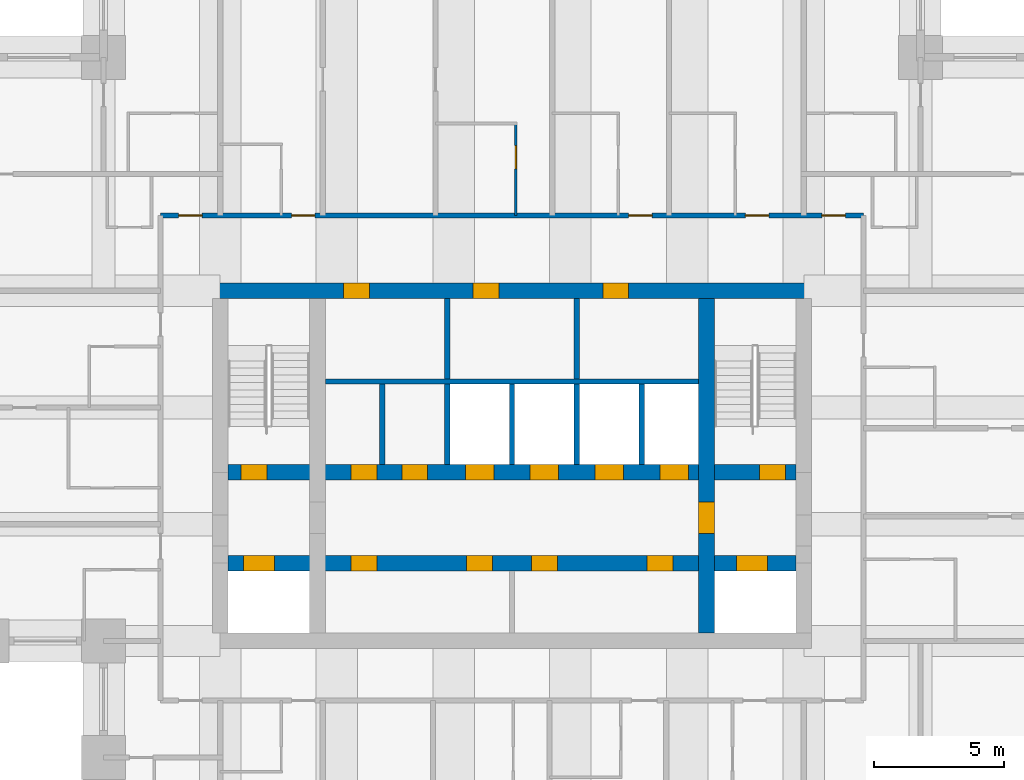
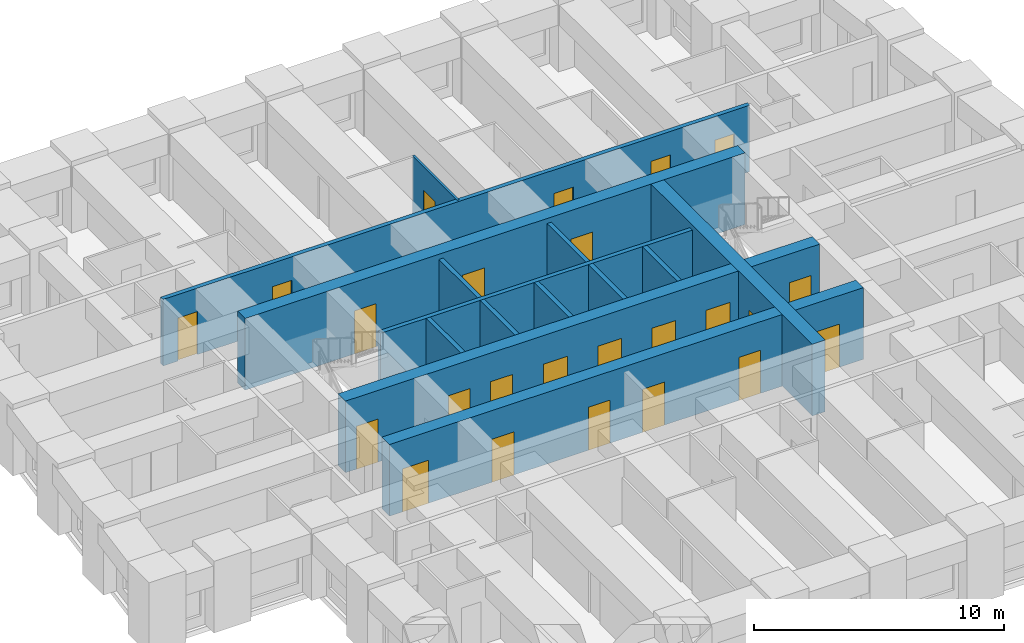
# One storey, part 4 of 8: 24 doors, 14 walls, 24 openings.
"""IFC4 building model written with IfcOpenShell, lengths in metres."""

from ifc_helpers import new_model, si_unit, direction, frame, frame_2d, origin, place, context, subcontext, project, spatial, rectangle, extrude, material, layer, layer_set, type_object, element, fill, save


model = new_model("IFC4")

# Units and contexts
model_context = context("Model", 3, precision=1e-05, world=origin(), true_north=direction((0.0, 1.0)))
body_context = subcontext(model_context, "Body", "Model", "MODEL_VIEW")
ifc_project = project(units=[si_unit("LENGTHUNIT", "METRE"), si_unit("AREAUNIT", "SQUARE_METRE"), si_unit("VOLUMEUNIT", "CUBIC_METRE"), si_unit("PLANEANGLEUNIT", "RADIAN"), si_unit("MASSUNIT", "GRAM", prefix="KILO")], contexts=[model_context])

# Site, building, storey
site_placement = place(None, origin())
site = spatial("IfcSite", under=ifc_project, at=site_placement, CompositionType="ELEMENT")
building_placement = place(site_placement, origin())
building = spatial("IfcBuilding", under=site, at=building_placement, Name="Kilele Tower Hotel", CompositionType="ELEMENT")
storey_placement = place(building_placement, frame((0.0, 0.0, 179.89990234375)))
storey = spatial("IfcBuildingStorey", under=building, at=storey_placement, Name="L46", CompositionType="ELEMENT", Elevation=179.89990234375)

# Wall, opening, door
ifc_material_1 = material(Name="Moisture-resistant board")
ifc_layer_1 = layer(ifc_material_1, 0.10009765625)
ifc_layer_set_1 = layer_set([ifc_layer_1], Name="Moisture-resistant board")
wall_type_1 = type_object("IfcWallType", Name="Bathroom partition 100", PredefinedType="PLUMBINGWALL", material=ifc_layer_set_1)
wall_1_placement = place(storey_placement, frame((24.89990234375, 29.89990234375, 0.0), z_axis=(0.0, 0.0, 1.0), x_axis=(0.0, 1.0, 0.0)))
wall_1 = element("IfcWall", 1, at=wall_1_placement, inside=storey, type_object=wall_type_1, Name="Bathroom partition 100 L46", PredefinedType="PLUMBINGWALL", context=body_context, shape_type="SweptSolid", body=[
    extrude(rectangle(XDim=3.60009765625, YDim=0.10009765625, at=frame_2d((1.800048828125, 0.0))), origin(), (0.0, 0.0, 1.0), 3.25),
])
opening_1_placement = place(wall_1_placement, frame((2.699951171875, 0.0, 0.0), z_axis=(0.0, 0.0, 1.0), x_axis=(-1.0, 0.0, 0.0)))
opening_1 = element("IfcOpeningElement", 2, at=opening_1_placement, cuts=wall_1, Name="Opening D2A", PredefinedType="OPENING", context=body_context, shape_type="SweptSolid", body=[
    extrude(rectangle(XDim=0.89990234375, YDim=2.10009765625, at=frame_2d((0.449951171875, 1.050048828125))), frame((0.0, 0.06005859375, 0.0), z_axis=(0.0, -1.0, 0.0), x_axis=(1.0, 0.0, 0.0)), (0.0, 0.0, 1.0), 0.1201171875),
])
ifc_material_2 = material(Name="Timber door leaf in hardwood frame", Category="wood")
door_type_1 = type_object("IfcDoorType", Name="Bathroom door 900", OperationType="SINGLE_SWING_LEFT", PredefinedType="DOOR", material=ifc_material_2)
door_1_placement = place(opening_1_placement, origin())
door_1 = element("IfcDoor", 3, at=door_1_placement, inside=storey, type_object=door_type_1, Name="Bathroom door 4611B", OperationType="SINGLE_SWING_LEFT", OverallHeight=2.10009765625, OverallWidth=0.89990234375, PredefinedType="DOOR", context=body_context, shape_type="SweptSolid", body=[
    extrude(rectangle(XDim=0.89990234375, YDim=2.10009765625, at=frame_2d((0.449951171875, 1.050048828125))), frame((0.0, 0.02490234375, 0.0), z_axis=(0.0, -1.0, 0.0), x_axis=(1.0, 0.0, 0.0)), (0.0, 0.0, 1.0), 0.050048828125),
])
fill(opening_1, door_1)

# Wall, openings, doors
ifc_material_3 = material(Name="Concrete C70/85", Category="concrete")
ifc_layer_2 = layer(ifc_material_3, 0.60009765625)
ifc_layer_set_2 = layer_set([ifc_layer_2], Name="Concrete C70/85")
wall_type_2 = type_object("IfcWallType", Name="Core wall 600 C70/85", PredefinedType="SHEAR", material=ifc_layer_set_2)
wall_2_placement = place(storey_placement, frame((36.300048828125, 27.0, 0.0), z_axis=(0.0, 0.0, 1.0), x_axis=(-1.0, 0.0, 0.0)))
wall_2 = element("IfcWall", 4, at=wall_2_placement, inside=storey, type_object=wall_type_2, Name="Core wall N L46", PredefinedType="SHEAR", context=body_context, shape_type="SweptSolid", body=[
    extrude(rectangle(XDim=23.10009765625, YDim=0.60009765625, at=frame_2d((11.550048828125, 0.0))), origin(), (0.0, 0.0, 1.0), 3.5),
])
opening_2_placement = place(wall_2_placement, frame((17.050048828125, 0.0, 0.0)))
opening_2 = element("IfcOpeningElement", 5, at=opening_2_placement, cuts=wall_2, Name="Opening D6", PredefinedType="OPENING", context=body_context, shape_type="SweptSolid", body=[
    extrude(rectangle(XDim=1.0, YDim=2.10009765625, at=frame_2d((0.5, 1.050048828125))), frame((0.0, 0.31005859375, 0.0), z_axis=(0.0, -1.0, 0.0), x_axis=(1.0, 0.0, 0.0)), (0.0, 0.0, 1.0), 0.6201171875),
])
opening_3_placement = place(wall_2_placement, frame((12.050048828125, 0.0, 0.0)))
opening_3 = element("IfcOpeningElement", 6, at=opening_3_placement, cuts=wall_2, Name="Opening D6", PredefinedType="OPENING", context=body_context, shape_type="SweptSolid", body=[
    extrude(rectangle(XDim=1.0, YDim=2.10009765625, at=frame_2d((0.5, 1.050048828125))), frame((0.0, 0.31005859375, 0.0), z_axis=(0.0, -1.0, 0.0), x_axis=(1.0, 0.0, 0.0)), (0.0, 0.0, 1.0), 0.6201171875),
])
opening_4_placement = place(wall_2_placement, frame((7.050048828125, 0.0, 0.0)))
opening_4 = element("IfcOpeningElement", 7, at=opening_4_placement, cuts=wall_2, Name="Opening D6", PredefinedType="OPENING", context=body_context, shape_type="SweptSolid", body=[
    extrude(rectangle(XDim=1.0, YDim=2.10009765625, at=frame_2d((0.5, 1.050048828125))), frame((0.0, 0.31005859375, 0.0), z_axis=(0.0, -1.0, 0.0), x_axis=(1.0, 0.0, 0.0)), (0.0, 0.0, 1.0), 0.6201171875),
])
ifc_material_4 = material(Name="Timber door leaf in hardwood frame", Category="wood")
door_type_2 = type_object("IfcDoorType", Name="Riser door 1000", OperationType="SINGLE_SWING_LEFT", PredefinedType="DOOR", material=ifc_material_4)
door_2_placement = place(opening_2_placement, origin())
door_2 = element("IfcDoor", 8, at=door_2_placement, inside=storey, type_object=door_type_2, Name="Service riser door L46", OperationType="SINGLE_SWING_RIGHT", OverallHeight=2.10009765625, OverallWidth=1.0, PredefinedType="DOOR", context=body_context, shape_type="SweptSolid", body=[
    extrude(rectangle(XDim=1.0, YDim=2.10009765625, at=frame_2d((0.5, 1.050048828125))), frame((0.0, 0.2998046875, 0.0), z_axis=(0.0, -1.0, 0.0), x_axis=(1.0, 0.0, 0.0)), (0.0, 0.0, 1.0), 0.599609375),
])
fill(opening_2, door_2)
door_3_placement = place(opening_3_placement, origin())
door_3 = element("IfcDoor", 9, at=door_3_placement, inside=storey, type_object=door_type_2, Name="IT and comms room door L46", OperationType="SINGLE_SWING_RIGHT", OverallHeight=2.10009765625, OverallWidth=1.0, PredefinedType="DOOR", context=body_context, shape_type="SweptSolid", body=[
    extrude(rectangle(XDim=1.0, YDim=2.10009765625, at=frame_2d((0.5, 1.050048828125))), frame((0.0, 0.2998046875, 0.0), z_axis=(0.0, -1.0, 0.0), x_axis=(1.0, 0.0, 0.0)), (0.0, 0.0, 1.0), 0.599609375),
])
fill(opening_3, door_3)
door_4_placement = place(opening_4_placement, origin())
door_4 = element("IfcDoor", 10, at=door_4_placement, inside=storey, type_object=door_type_2, Name="Electrical riser door L46", OperationType="SINGLE_SWING_RIGHT", OverallHeight=2.10009765625, OverallWidth=1.0, PredefinedType="DOOR", context=body_context, shape_type="SweptSolid", body=[
    extrude(rectangle(XDim=1.0, YDim=2.10009765625, at=frame_2d((0.5, 1.050048828125))), frame((0.0, 0.2998046875, 0.0), z_axis=(0.0, -1.0, 0.0), x_axis=(1.0, 0.0, 0.0)), (0.0, 0.0, 1.0), 0.599609375),
])
fill(opening_4, door_4)

# Wall, opening, door
wall_3_placement = place(storey_placement, frame((32.25, 13.800048828125, 0.0), z_axis=(0.0, 0.0, 1.0), x_axis=(0.0, 1.0, 0.0)))
wall_3 = element("IfcWall", 11, at=wall_3_placement, inside=storey, type_object=wall_type_2, Name="Core wall IE L46", PredefinedType="SHEAR", context=body_context, shape_type="SweptSolid", body=[
    extrude(rectangle(XDim=12.89990234375, YDim=0.60009765625, at=frame_2d((6.449951171875, 0.0))), origin(), (0.0, 0.0, 1.0), 3.5),
])
opening_5_placement = place(wall_3_placement, frame((5.050048828125, 0.0, 0.0), z_axis=(0.0, 0.0, 1.0), x_axis=(-1.0, 0.0, 0.0)))
opening_5 = element("IfcOpeningElement", 12, at=opening_5_placement, cuts=wall_3, Name="Opening D4", PredefinedType="OPENING", context=body_context, shape_type="SweptSolid", body=[
    extrude(rectangle(XDim=1.199951171875, YDim=2.10009765625, at=frame_2d((0.60009765625, 1.050048828125))), frame((0.0, 0.31005859375, 0.0), z_axis=(0.0, -1.0, 0.0), x_axis=(1.0, 0.0, 0.0)), (0.0, 0.0, 1.0), 0.6201171875),
])
ifc_material_5 = material(Name="Timber door leaf in hardwood frame", Category="wood")
door_type_3 = type_object("IfcDoorType", Name="Firefighting lobby door 1200", OperationType="SINGLE_SWING_LEFT", PredefinedType="DOOR", material=ifc_material_5)
door_5_placement = place(opening_5_placement, origin())
door_5 = element("IfcDoor", 13, at=door_5_placement, inside=storey, type_object=door_type_3, Name="Lobby door L46", OperationType="SINGLE_SWING_RIGHT", OverallHeight=2.10009765625, OverallWidth=1.199951171875, PredefinedType="DOOR", context=body_context, shape_type="SweptSolid", body=[
    extrude(rectangle(XDim=1.199951171875, YDim=2.10009765625, at=frame_2d((0.60009765625, 1.050048828125))), frame((0.0, 0.2998046875, 0.0), z_axis=(0.0, -1.0, 0.0), x_axis=(1.0, 0.0, 0.0)), (0.0, 0.0, 1.0), 0.599609375),
])
fill(opening_5, door_5)

# Wall, openings, doors
wall_4_placement = place(storey_placement, frame((13.800048828125, 16.5, 0.0), z_axis=(0.0, 0.0, 1.0), x_axis=(1.0, 0.0, 0.0)))
wall_4 = element("IfcWall", 14, at=wall_4_placement, inside=storey, type_object=wall_type_2, Name="Core wall LS L46", PredefinedType="SHEAR", context=body_context, shape_type="SweptSolid", body=[
    extrude(rectangle(XDim=21.89990234375, YDim=0.60009765625, at=frame_2d((10.949951171875, 0.0))), origin(), (0.0, 0.0, 1.0), 3.5),
])
opening_6_placement = place(wall_4_placement, frame((5.75, 0.0, 0.0), z_axis=(0.0, 0.0, 1.0), x_axis=(-1.0, 0.0, 0.0)))
opening_6 = element("IfcOpeningElement", 15, at=opening_6_placement, cuts=wall_4, Name="Opening D11", PredefinedType="OPENING", context=body_context, shape_type="SweptSolid", body=[
    extrude(rectangle(XDim=1.0, YDim=2.10009765625, at=frame_2d((0.5, 1.050048828125))), frame((0.0, 0.31005859375, 0.0), z_axis=(0.0, -1.0, 0.0), x_axis=(1.0, 0.0, 0.0)), (0.0, 0.0, 1.0), 0.6201171875),
])
opening_7_placement = place(wall_4_placement, frame((10.199951171875, 0.0, 0.0), z_axis=(0.0, 0.0, 1.0), x_axis=(-1.0, 0.0, 0.0)))
opening_7 = element("IfcOpeningElement", 16, at=opening_7_placement, cuts=wall_4, Name="Opening D11", PredefinedType="OPENING", context=body_context, shape_type="SweptSolid", body=[
    extrude(rectangle(XDim=1.0, YDim=2.10009765625, at=frame_2d((0.5, 1.050048828125))), frame((0.0, 0.31005859375, 0.0), z_axis=(0.0, -1.0, 0.0), x_axis=(1.0, 0.0, 0.0)), (0.0, 0.0, 1.0), 0.6201171875),
])
opening_8_placement = place(wall_4_placement, frame((12.699951171875, 0.0, 0.0), z_axis=(0.0, 0.0, 1.0), x_axis=(-1.0, 0.0, 0.0)))
opening_8 = element("IfcOpeningElement", 17, at=opening_8_placement, cuts=wall_4, Name="Opening D11", PredefinedType="OPENING", context=body_context, shape_type="SweptSolid", body=[
    extrude(rectangle(XDim=1.0, YDim=2.10009765625, at=frame_2d((0.5, 1.050048828125))), frame((0.0, 0.31005859375, 0.0), z_axis=(0.0, -1.0, 0.0), x_axis=(1.0, 0.0, 0.0)), (0.0, 0.0, 1.0), 0.6201171875),
])
opening_9_placement = place(wall_4_placement, frame((17.14990234375, 0.0, 0.0), z_axis=(0.0, 0.0, 1.0), x_axis=(-1.0, 0.0, 0.0)))
opening_9 = element("IfcOpeningElement", 18, at=opening_9_placement, cuts=wall_4, Name="Opening D11", PredefinedType="OPENING", context=body_context, shape_type="SweptSolid", body=[
    extrude(rectangle(XDim=1.0, YDim=2.10009765625, at=frame_2d((0.5, 1.050048828125))), frame((0.0, 0.31005859375, 0.0), z_axis=(0.0, -1.0, 0.0), x_axis=(1.0, 0.0, 0.0)), (0.0, 0.0, 1.0), 0.6201171875),
])
opening_10_placement = place(wall_4_placement, frame((0.60009765625, 0.0, 0.0)))
opening_10 = element("IfcOpeningElement", 19, at=opening_10_placement, cuts=wall_4, Name="Opening LD2", PredefinedType="OPENING", context=body_context, shape_type="SweptSolid", body=[
    extrude(rectangle(XDim=1.199951171875, YDim=2.10009765625, at=frame_2d((0.60009765625, 1.050048828125))), frame((0.0, 0.31005859375, 0.0), z_axis=(0.0, -1.0, 0.0), x_axis=(1.0, 0.0, 0.0)), (0.0, 0.0, 1.0), 0.6201171875),
])
opening_11_placement = place(wall_4_placement, frame((19.60009765625, 0.0, 0.0)))
opening_11 = element("IfcOpeningElement", 20, at=opening_11_placement, cuts=wall_4, Name="Opening LD2", PredefinedType="OPENING", context=body_context, shape_type="SweptSolid", body=[
    extrude(rectangle(XDim=1.199951171875, YDim=2.10009765625, at=frame_2d((0.60009765625, 1.050048828125))), frame((0.0, 0.31005859375, 0.0), z_axis=(0.0, -1.0, 0.0), x_axis=(1.0, 0.0, 0.0)), (0.0, 0.0, 1.0), 0.6201171875),
])
ifc_material_6 = material(Name="Timber door leaf in hardwood frame", Category="wood")
door_type_4 = type_object("IfcDoorType", Name="Core store door 1000", OperationType="SINGLE_SWING_LEFT", PredefinedType="DOOR", material=ifc_material_6)
door_6_placement = place(opening_6_placement, origin())
door_6 = element("IfcDoor", 21, at=door_6_placement, inside=storey, type_object=door_type_4, Name="Core room door L1 L46", OperationType="SINGLE_SWING_RIGHT", OverallHeight=2.10009765625, OverallWidth=1.0, PredefinedType="DOOR", context=body_context, shape_type="SweptSolid", body=[
    extrude(rectangle(XDim=1.0, YDim=2.10009765625, at=frame_2d((0.5, 1.050048828125))), frame((0.0, 0.2998046875, 0.0), z_axis=(0.0, -1.0, 0.0), x_axis=(1.0, 0.0, 0.0)), (0.0, 0.0, 1.0), 0.599609375),
])
fill(opening_6, door_6)
door_7_placement = place(opening_7_placement, origin())
door_7 = element("IfcDoor", 22, at=door_7_placement, inside=storey, type_object=door_type_4, Name="Core room door L3 L46", OperationType="SINGLE_SWING_LEFT", OverallHeight=2.10009765625, OverallWidth=1.0, PredefinedType="DOOR", context=body_context, shape_type="SweptSolid", body=[
    extrude(rectangle(XDim=1.0, YDim=2.10009765625, at=frame_2d((0.5, 1.050048828125))), frame((0.0, 0.2998046875, 0.0), z_axis=(0.0, -1.0, 0.0), x_axis=(1.0, 0.0, 0.0)), (0.0, 0.0, 1.0), 0.599609375),
])
fill(opening_7, door_7)
door_8_placement = place(opening_8_placement, origin())
door_8 = element("IfcDoor", 23, at=door_8_placement, inside=storey, type_object=door_type_4, Name="Core room door M1 L46", OperationType="SINGLE_SWING_RIGHT", OverallHeight=2.10009765625, OverallWidth=1.0, PredefinedType="DOOR", context=body_context, shape_type="SweptSolid", body=[
    extrude(rectangle(XDim=1.0, YDim=2.10009765625, at=frame_2d((0.5, 1.050048828125))), frame((0.0, 0.2998046875, 0.0), z_axis=(0.0, -1.0, 0.0), x_axis=(1.0, 0.0, 0.0)), (0.0, 0.0, 1.0), 0.599609375),
])
fill(opening_8, door_8)
door_9_placement = place(opening_9_placement, origin())
door_9 = element("IfcDoor", 24, at=door_9_placement, inside=storey, type_object=door_type_4, Name="Core room door M3 L46", OperationType="SINGLE_SWING_LEFT", OverallHeight=2.10009765625, OverallWidth=1.0, PredefinedType="DOOR", context=body_context, shape_type="SweptSolid", body=[
    extrude(rectangle(XDim=1.0, YDim=2.10009765625, at=frame_2d((0.5, 1.050048828125))), frame((0.0, 0.2998046875, 0.0), z_axis=(0.0, -1.0, 0.0), x_axis=(1.0, 0.0, 0.0)), (0.0, 0.0, 1.0), 0.599609375),
])
fill(opening_9, door_9)
ifc_material_7 = material(Name="Steel lift landing door", Category="steel")
door_type_5 = type_object("IfcDoorType", Name="Firefighting lift landing door 1200", OperationType="SLIDING_TO_LEFT", PredefinedType="DOOR", material=ifc_material_7)
door_10_placement = place(opening_10_placement, origin())
door_10 = element("IfcDoor", 25, at=door_10_placement, inside=storey, type_object=door_type_5, Name="Landing door FFW L46", OperationType="SLIDING_TO_LEFT", OverallHeight=2.10009765625, OverallWidth=1.199951171875, PredefinedType="DOOR", context=body_context, shape_type="SweptSolid", body=[
    extrude(rectangle(XDim=1.199951171875, YDim=2.10009765625, at=frame_2d((0.60009765625, 1.050048828125))), frame((0.0, 0.2998046875, 0.0), z_axis=(0.0, -1.0, 0.0), x_axis=(1.0, 0.0, 0.0)), (0.0, 0.0, 1.0), 0.599609375),
])
fill(opening_10, door_10)
door_11_placement = place(opening_11_placement, origin())
door_11 = element("IfcDoor", 26, at=door_11_placement, inside=storey, type_object=door_type_5, Name="Landing door FFE L46", OperationType="SLIDING_TO_LEFT", OverallHeight=2.10009765625, OverallWidth=1.199951171875, PredefinedType="DOOR", context=body_context, shape_type="SweptSolid", body=[
    extrude(rectangle(XDim=1.199951171875, YDim=2.10009765625, at=frame_2d((0.60009765625, 1.050048828125))), frame((0.0, 0.2998046875, 0.0), z_axis=(0.0, -1.0, 0.0), x_axis=(1.0, 0.0, 0.0)), (0.0, 0.0, 1.0), 0.599609375),
])
fill(opening_11, door_11)

wall_5_placement = place(storey_placement, frame((13.800048828125, 20.0, 0.0), z_axis=(0.0, 0.0, 1.0), x_axis=(1.0, 0.0, 0.0)))
wall_5 = element("IfcWall", 27, at=wall_5_placement, inside=storey, type_object=wall_type_2, Name="Core wall LN L46", PredefinedType="SHEAR", context=body_context, shape_type="SweptSolid", body=[
    extrude(rectangle(XDim=21.89990234375, YDim=0.60009765625, at=frame_2d((10.949951171875, 0.0))), origin(), (0.0, 0.0, 1.0), 3.5),
])
opening_12_placement = place(wall_5_placement, frame((0.5, 0.0, 0.0)))
opening_12 = element("IfcOpeningElement", 28, at=opening_12_placement, cuts=wall_5, Name="Opening D5", PredefinedType="OPENING", context=body_context, shape_type="SweptSolid", body=[
    extrude(rectangle(XDim=1.0, YDim=2.10009765625, at=frame_2d((0.5, 1.050048828125))), frame((0.0, 0.31005859375, 0.0), z_axis=(0.0, -1.0, 0.0), x_axis=(1.0, 0.0, 0.0)), (0.0, 0.0, 1.0), 0.6201171875),
])
opening_13_placement = place(wall_5_placement, frame((20.5, 0.0, 0.0)))
opening_13 = element("IfcOpeningElement", 29, at=opening_13_placement, cuts=wall_5, Name="Opening D5", PredefinedType="OPENING", context=body_context, shape_type="SweptSolid", body=[
    extrude(rectangle(XDim=1.0, YDim=2.10009765625, at=frame_2d((0.5, 1.050048828125))), frame((0.0, 0.31005859375, 0.0), z_axis=(0.0, -1.0, 0.0), x_axis=(1.0, 0.0, 0.0)), (0.0, 0.0, 1.0), 0.6201171875),
])
opening_14_placement = place(wall_5_placement, frame((9.14990234375, 0.0, 0.0)))
opening_14 = element("IfcOpeningElement", 30, at=opening_14_placement, cuts=wall_5, Name="Opening LD1", PredefinedType="OPENING", context=body_context, shape_type="SweptSolid", body=[
    extrude(rectangle(XDim=1.10009765625, YDim=2.10009765625, at=frame_2d((0.550048828125, 1.050048828125))), frame((0.0, 0.31005859375, 0.0), z_axis=(0.0, -1.0, 0.0), x_axis=(1.0, 0.0, 0.0)), (0.0, 0.0, 1.0), 0.6201171875),
])
opening_15_placement = place(wall_5_placement, frame((11.64990234375, 0.0, 0.0)))
opening_15 = element("IfcOpeningElement", 31, at=opening_15_placement, cuts=wall_5, Name="Opening LD1", PredefinedType="OPENING", context=body_context, shape_type="SweptSolid", body=[
    extrude(rectangle(XDim=1.10009765625, YDim=2.10009765625, at=frame_2d((0.550048828125, 1.050048828125))), frame((0.0, 0.31005859375, 0.0), z_axis=(0.0, -1.0, 0.0), x_axis=(1.0, 0.0, 0.0)), (0.0, 0.0, 1.0), 0.6201171875),
])
opening_16_placement = place(wall_5_placement, frame((14.14990234375, 0.0, 0.0)))
opening_16 = element("IfcOpeningElement", 32, at=opening_16_placement, cuts=wall_5, Name="Opening LD1", PredefinedType="OPENING", context=body_context, shape_type="SweptSolid", body=[
    extrude(rectangle(XDim=1.10009765625, YDim=2.10009765625, at=frame_2d((0.550048828125, 1.050048828125))), frame((0.0, 0.31005859375, 0.0), z_axis=(0.0, -1.0, 0.0), x_axis=(1.0, 0.0, 0.0)), (0.0, 0.0, 1.0), 0.6201171875),
])
opening_17_placement = place(wall_5_placement, frame((16.64990234375, 0.0, 0.0)))
opening_17 = element("IfcOpeningElement", 33, at=opening_17_placement, cuts=wall_5, Name="Opening LD1", PredefinedType="OPENING", context=body_context, shape_type="SweptSolid", body=[
    extrude(rectangle(XDim=1.10009765625, YDim=2.10009765625, at=frame_2d((0.550048828125, 1.050048828125))), frame((0.0, 0.31005859375, 0.0), z_axis=(0.0, -1.0, 0.0), x_axis=(1.0, 0.0, 0.0)), (0.0, 0.0, 1.0), 0.6201171875),
])
opening_18_placement = place(wall_5_placement, frame((4.75, 0.0, 0.0)))
opening_18 = element("IfcOpeningElement", 34, at=opening_18_placement, cuts=wall_5, Name="Opening D11", PredefinedType="OPENING", context=body_context, shape_type="SweptSolid", body=[
    extrude(rectangle(XDim=1.0, YDim=2.10009765625, at=frame_2d((0.5, 1.050048828125))), frame((0.0, 0.31005859375, 0.0), z_axis=(0.0, -1.0, 0.0), x_axis=(1.0, 0.0, 0.0)), (0.0, 0.0, 1.0), 0.6201171875),
])
opening_19_placement = place(wall_5_placement, frame((6.699951171875, 0.0, 0.0)))
opening_19 = element("IfcOpeningElement", 35, at=opening_19_placement, cuts=wall_5, Name="Opening D11", PredefinedType="OPENING", context=body_context, shape_type="SweptSolid", body=[
    extrude(rectangle(XDim=1.0, YDim=2.10009765625, at=frame_2d((0.5, 1.050048828125))), frame((0.0, 0.31005859375, 0.0), z_axis=(0.0, -1.0, 0.0), x_axis=(1.0, 0.0, 0.0)), (0.0, 0.0, 1.0), 0.6201171875),
])
door_12_placement = place(opening_18_placement, origin())
door_12 = element("IfcDoor", 36, at=door_12_placement, inside=storey, type_object=door_type_4, Name="Core room door S1 L46", OperationType="SINGLE_SWING_RIGHT", OverallHeight=2.10009765625, OverallWidth=1.0, PredefinedType="DOOR", context=body_context, shape_type="SweptSolid", body=[
    extrude(rectangle(XDim=1.0, YDim=2.10009765625, at=frame_2d((0.5, 1.050048828125))), frame((0.0, 0.2998046875, 0.0), z_axis=(0.0, -1.0, 0.0), x_axis=(1.0, 0.0, 0.0)), (0.0, 0.0, 1.0), 0.599609375),
])
fill(opening_18, door_12)
door_13_placement = place(opening_19_placement, origin())
door_13 = element("IfcDoor", 37, at=door_13_placement, inside=storey, type_object=door_type_4, Name="Core room door S2 L46", OperationType="SINGLE_SWING_LEFT", OverallHeight=2.10009765625, OverallWidth=1.0, PredefinedType="DOOR", context=body_context, shape_type="SweptSolid", body=[
    extrude(rectangle(XDim=1.0, YDim=2.10009765625, at=frame_2d((0.5, 1.050048828125))), frame((0.0, 0.2998046875, 0.0), z_axis=(0.0, -1.0, 0.0), x_axis=(1.0, 0.0, 0.0)), (0.0, 0.0, 1.0), 0.599609375),
])
fill(opening_19, door_13)
ifc_material_8 = material(Name="Steel lift landing door", Category="steel")
door_type_6 = type_object("IfcDoorType", Name="Lift landing door 1100", OperationType="SLIDING_TO_LEFT", PredefinedType="DOOR", material=ifc_material_8)
door_14_placement = place(opening_14_placement, origin())
door_14 = element("IfcDoor", 38, at=door_14_placement, inside=storey, type_object=door_type_6, Name="Landing door H1 L46", OperationType="SLIDING_TO_LEFT", OverallHeight=2.10009765625, OverallWidth=1.10009765625, PredefinedType="DOOR", context=body_context, shape_type="SweptSolid", body=[
    extrude(rectangle(XDim=1.10009765625, YDim=2.10009765625, at=frame_2d((0.550048828125, 1.050048828125))), frame((0.0, 0.2998046875, 0.0), z_axis=(0.0, -1.0, 0.0), x_axis=(1.0, 0.0, 0.0)), (0.0, 0.0, 1.0), 0.599609375),
])
fill(opening_14, door_14)
door_15_placement = place(opening_15_placement, origin())
door_15 = element("IfcDoor", 39, at=door_15_placement, inside=storey, type_object=door_type_6, Name="Landing door H2 L46", OperationType="SLIDING_TO_LEFT", OverallHeight=2.10009765625, OverallWidth=1.10009765625, PredefinedType="DOOR", context=body_context, shape_type="SweptSolid", body=[
    extrude(rectangle(XDim=1.10009765625, YDim=2.10009765625, at=frame_2d((0.550048828125, 1.050048828125))), frame((0.0, 0.2998046875, 0.0), z_axis=(0.0, -1.0, 0.0), x_axis=(1.0, 0.0, 0.0)), (0.0, 0.0, 1.0), 0.599609375),
])
fill(opening_15, door_15)
door_16_placement = place(opening_16_placement, origin())
door_16 = element("IfcDoor", 40, at=door_16_placement, inside=storey, type_object=door_type_6, Name="Landing door H3 L46", OperationType="SLIDING_TO_LEFT", OverallHeight=2.10009765625, OverallWidth=1.10009765625, PredefinedType="DOOR", context=body_context, shape_type="SweptSolid", body=[
    extrude(rectangle(XDim=1.10009765625, YDim=2.10009765625, at=frame_2d((0.550048828125, 1.050048828125))), frame((0.0, 0.2998046875, 0.0), z_axis=(0.0, -1.0, 0.0), x_axis=(1.0, 0.0, 0.0)), (0.0, 0.0, 1.0), 0.599609375),
])
fill(opening_16, door_16)
door_17_placement = place(opening_17_placement, origin())
door_17 = element("IfcDoor", 41, at=door_17_placement, inside=storey, type_object=door_type_6, Name="Landing door G1 L46", OperationType="SLIDING_TO_LEFT", OverallHeight=2.10009765625, OverallWidth=1.10009765625, PredefinedType="DOOR", context=body_context, shape_type="SweptSolid", body=[
    extrude(rectangle(XDim=1.10009765625, YDim=2.10009765625, at=frame_2d((0.550048828125, 1.050048828125))), frame((0.0, 0.2998046875, 0.0), z_axis=(0.0, -1.0, 0.0), x_axis=(1.0, 0.0, 0.0)), (0.0, 0.0, 1.0), 0.599609375),
])
fill(opening_17, door_17)
ifc_material_9 = material(Name="Timber door leaf in hardwood frame", Category="wood")
door_type_7 = type_object("IfcDoorType", Name="Stair door 1000", OperationType="SINGLE_SWING_LEFT", PredefinedType="DOOR", material=ifc_material_9)
door_18_placement = place(opening_12_placement, origin())
door_18 = element("IfcDoor", 42, at=door_18_placement, inside=storey, type_object=door_type_7, Name="Stair 1 door L46", OperationType="SINGLE_SWING_LEFT", OverallHeight=2.10009765625, OverallWidth=1.0, PredefinedType="DOOR", context=body_context, shape_type="SweptSolid", body=[
    extrude(rectangle(XDim=1.0, YDim=2.10009765625, at=frame_2d((0.5, 1.050048828125))), frame((0.0, 0.2998046875, 0.0), z_axis=(0.0, -1.0, 0.0), x_axis=(1.0, 0.0, 0.0)), (0.0, 0.0, 1.0), 0.599609375),
])
fill(opening_12, door_18)
door_19_placement = place(opening_13_placement, origin())
door_19 = element("IfcDoor", 43, at=door_19_placement, inside=storey, type_object=door_type_7, Name="Stair 2 door L46", OperationType="SINGLE_SWING_RIGHT", OverallHeight=2.10009765625, OverallWidth=1.0, PredefinedType="DOOR", context=body_context, shape_type="SweptSolid", body=[
    extrude(rectangle(XDim=1.0, YDim=2.10009765625, at=frame_2d((0.5, 1.050048828125))), frame((0.0, 0.2998046875, 0.0), z_axis=(0.0, -1.0, 0.0), x_axis=(1.0, 0.0, 0.0)), (0.0, 0.0, 1.0), 0.599609375),
])
fill(opening_13, door_19)

ifc_material_10 = material(Name="Blockwork, plastered both sides", Category="masonry")
ifc_layer_3 = layer(ifc_material_10, 0.199951171875)
ifc_layer_set_3 = layer_set([ifc_layer_3], Name="Blockwork, plastered both sides")
wall_type_3 = type_object("IfcWallType", Name="Corridor wall 200", PredefinedType="PARTITIONING", material=ifc_layer_set_3)
wall_6_placement = place(storey_placement, frame((11.199951171875, 29.89990234375, 0.0), z_axis=(0.0, 0.0, 1.0), x_axis=(1.0, 0.0, 0.0)))
wall_6 = element("IfcWall", 44, at=wall_6_placement, inside=storey, type_object=wall_type_3, Name="Corridor wall 200 L46", PredefinedType="PARTITIONING", context=body_context, shape_type="SweptSolid", body=[
    extrude(rectangle(XDim=27.10009765625, YDim=0.199951171875, at=frame_2d((13.550048828125, 0.0))), origin(), (0.0, 0.0, 1.0), 3.25),
])
opening_20_placement = place(wall_6_placement, frame((5.050048828125, 0.0, 0.0)))
opening_20 = element("IfcOpeningElement", 45, at=opening_20_placement, cuts=wall_6, Name="Opening D1", PredefinedType="OPENING", context=body_context, shape_type="SweptSolid", body=[
    extrude(rectangle(XDim=0.89990234375, YDim=2.10009765625, at=frame_2d((0.449951171875, 1.050048828125))), frame((0.0, 0.10986328125, 0.0), z_axis=(0.0, -1.0, 0.0), x_axis=(1.0, 0.0, 0.0)), (0.0, 0.0, 1.0), 0.219970703125),
])
opening_21_placement = place(wall_6_placement, frame((18.050048828125, 0.0, 0.0)))
opening_21 = element("IfcOpeningElement", 46, at=opening_21_placement, cuts=wall_6, Name="Opening D1", PredefinedType="OPENING", context=body_context, shape_type="SweptSolid", body=[
    extrude(rectangle(XDim=0.89990234375, YDim=2.10009765625, at=frame_2d((0.449951171875, 1.050048828125))), frame((0.0, 0.10986328125, 0.0), z_axis=(0.0, -1.0, 0.0), x_axis=(1.0, 0.0, 0.0)), (0.0, 0.0, 1.0), 0.219970703125),
])
opening_22_placement = place(wall_6_placement, frame((22.550048828125, 0.0, 0.0)))
opening_22 = element("IfcOpeningElement", 47, at=opening_22_placement, cuts=wall_6, Name="Opening D1", PredefinedType="OPENING", context=body_context, shape_type="SweptSolid", body=[
    extrude(rectangle(XDim=0.89990234375, YDim=2.10009765625, at=frame_2d((0.449951171875, 1.050048828125))), frame((0.0, 0.10986328125, 0.0), z_axis=(0.0, -1.0, 0.0), x_axis=(1.0, 0.0, 0.0)), (0.0, 0.0, 1.0), 0.219970703125),
])
opening_23_placement = place(wall_6_placement, frame((25.5, 0.0, 0.0)))
opening_23 = element("IfcOpeningElement", 48, at=opening_23_placement, cuts=wall_6, Name="Opening D1", PredefinedType="OPENING", context=body_context, shape_type="SweptSolid", body=[
    extrude(rectangle(XDim=0.89990234375, YDim=2.10009765625, at=frame_2d((0.449951171875, 1.050048828125))), frame((0.0, 0.10986328125, 0.0), z_axis=(0.0, -1.0, 0.0), x_axis=(1.0, 0.0, 0.0)), (0.0, 0.0, 1.0), 0.219970703125),
])
opening_24_placement = place(wall_6_placement, frame((0.699951171875, 0.0, 0.0)))
opening_24 = element("IfcOpeningElement", 49, at=opening_24_placement, cuts=wall_6, Name="Opening D1", PredefinedType="OPENING", context=body_context, shape_type="SweptSolid", body=[
    extrude(rectangle(XDim=0.89990234375, YDim=2.10009765625, at=frame_2d((0.449951171875, 1.050048828125))), frame((0.0, 0.10986328125, 0.0), z_axis=(0.0, -1.0, 0.0), x_axis=(1.0, 0.0, 0.0)), (0.0, 0.0, 1.0), 0.219970703125),
])
ifc_material_11 = material(Name="Timber door leaf in hardwood frame", Category="wood")
door_type_8 = type_object("IfcDoorType", Name="Guest room entrance door 900", OperationType="SINGLE_SWING_LEFT", PredefinedType="DOOR", material=ifc_material_11)
door_20_placement = place(opening_20_placement, origin())
door_20 = element("IfcDoor", 50, at=door_20_placement, inside=storey, type_object=door_type_8, Name="Room entrance 4609", OperationType="SINGLE_SWING_RIGHT", OverallHeight=2.10009765625, OverallWidth=0.89990234375, PredefinedType="DOOR", context=body_context, shape_type="SweptSolid", body=[
    extrude(rectangle(XDim=0.89990234375, YDim=2.10009765625, at=frame_2d((0.449951171875, 1.050048828125))), frame((0.0, 0.02490234375, 0.0), z_axis=(0.0, -1.0, 0.0), x_axis=(1.0, 0.0, 0.0)), (0.0, 0.0, 1.0), 0.050048828125),
])
fill(opening_20, door_20)
door_21_placement = place(opening_21_placement, origin())
door_21 = element("IfcDoor", 51, at=door_21_placement, inside=storey, type_object=door_type_8, Name="Room entrance 4612", OperationType="SINGLE_SWING_LEFT", OverallHeight=2.10009765625, OverallWidth=0.89990234375, PredefinedType="DOOR", context=body_context, shape_type="SweptSolid", body=[
    extrude(rectangle(XDim=0.89990234375, YDim=2.10009765625, at=frame_2d((0.449951171875, 1.050048828125))), frame((0.0, 0.02490234375, 0.0), z_axis=(0.0, -1.0, 0.0), x_axis=(1.0, 0.0, 0.0)), (0.0, 0.0, 1.0), 0.050048828125),
])
fill(opening_21, door_21)
door_22_placement = place(opening_22_placement, origin())
door_22 = element("IfcDoor", 52, at=door_22_placement, inside=storey, type_object=door_type_8, Name="Room entrance 4613", OperationType="SINGLE_SWING_LEFT", OverallHeight=2.10009765625, OverallWidth=0.89990234375, PredefinedType="DOOR", context=body_context, shape_type="SweptSolid", body=[
    extrude(rectangle(XDim=0.89990234375, YDim=2.10009765625, at=frame_2d((0.449951171875, 1.050048828125))), frame((0.0, 0.02490234375, 0.0), z_axis=(0.0, -1.0, 0.0), x_axis=(1.0, 0.0, 0.0)), (0.0, 0.0, 1.0), 0.050048828125),
])
fill(opening_22, door_22)
door_23_placement = place(opening_23_placement, origin())
door_23 = element("IfcDoor", 53, at=door_23_placement, inside=storey, type_object=door_type_8, Name="Room entrance 4622", OperationType="SINGLE_SWING_LEFT", OverallHeight=2.10009765625, OverallWidth=0.89990234375, PredefinedType="DOOR", context=body_context, shape_type="SweptSolid", body=[
    extrude(rectangle(XDim=0.89990234375, YDim=2.10009765625, at=frame_2d((0.449951171875, 1.050048828125))), frame((0.0, 0.02490234375, 0.0), z_axis=(0.0, -1.0, 0.0), x_axis=(1.0, 0.0, 0.0)), (0.0, 0.0, 1.0), 0.050048828125),
])
fill(opening_23, door_23)
door_24_placement = place(opening_24_placement, origin())
door_24 = element("IfcDoor", 54, at=door_24_placement, inside=storey, type_object=door_type_8, Name="Room entrance 4625", OperationType="SINGLE_SWING_RIGHT", OverallHeight=2.10009765625, OverallWidth=0.89990234375, PredefinedType="DOOR", context=body_context, shape_type="SweptSolid", body=[
    extrude(rectangle(XDim=0.89990234375, YDim=2.10009765625, at=frame_2d((0.449951171875, 1.050048828125))), frame((0.0, 0.02490234375, 0.0), z_axis=(0.0, -1.0, 0.0), x_axis=(1.0, 0.0, 0.0)), (0.0, 0.0, 1.0), 0.050048828125),
])
fill(opening_24, door_24)

# Walls
ifc_material_12 = material(Name="Blockwork, fire-rated", Category="masonry")
ifc_layer_4 = layer(ifc_material_12, 0.199951171875)
ifc_layer_set_4 = layer_set([ifc_layer_4], Name="Blockwork, fire-rated")
wall_type_4 = type_object("IfcWallType", Name="Shaft wall 200", PredefinedType="PARTITIONING", material=ifc_layer_set_4)
for number, where, z_axis, x_axis, name in (
    (55, (19.75, 20.300048828125, 0.0), (0.0, 0.0, 1.0), (0.0, 1.0, 0.0), "Shaft wall 200 L46"),
    (56, (22.25, 20.300048828125, 0.0), (0.0, 0.0, 1.0), (0.0, 1.0, 0.0), "Shaft wall 200 L46"),
    (57, (24.75, 20.300048828125, 0.0), (0.0, 0.0, 1.0), (0.0, 1.0, 0.0), "Shaft wall 200 L46"),
    (58, (27.25, 20.300048828125, 0.0), (0.0, 0.0, 1.0), (0.0, 1.0, 0.0), "Shaft wall 200 L46"),
    (59, (29.75, 20.300048828125, 0.0), (0.0, 0.0, 1.0), (0.0, 1.0, 0.0), "Shaft wall 200 L46"),
):
    element("IfcWall", number, at=place(storey_placement, frame(where, z_axis=z_axis, x_axis=x_axis)), inside=storey, type_object=wall_type_4, Name=name, PredefinedType="PARTITIONING", context=body_context, shape_type="SweptSolid", body=[
        extrude(rectangle(XDim=3.099853515625, YDim=0.199951171875, at=frame_2d((1.5498046875, 0.0))), origin(), (0.0, 0.0, 1.0), 3.25),
    ])
wall_7_placement = place(storey_placement, frame((17.550048828125, 23.5, 0.0), z_axis=(0.0, 0.0, 1.0), x_axis=(1.0, 0.0, 0.0)))
element("IfcWall", 60, at=wall_7_placement, inside=storey, type_object=wall_type_4, Name="Shaft wall 200 L46", PredefinedType="PARTITIONING", context=body_context, shape_type="SweptSolid", body=[
    extrude(rectangle(XDim=14.39990234375, YDim=0.199951171875, at=frame_2d((7.199951171875, 0.0))), origin(), (0.0, 0.0, 1.0), 3.25),
])
for number, where, z_axis, x_axis, name in (
    (61, (22.25, 23.60009765625, 0.0), (0.0, 0.0, 1.0), (0.0, 1.0, 0.0), "Shaft wall 200 L46"),
    (62, (27.25, 23.60009765625, 0.0), (0.0, 0.0, 1.0), (0.0, 1.0, 0.0), "Shaft wall 200 L46"),
):
    element("IfcWall", number, at=place(storey_placement, frame(where, z_axis=z_axis, x_axis=x_axis)), inside=storey, type_object=wall_type_4, Name=name, PredefinedType="PARTITIONING", context=body_context, shape_type="SweptSolid", body=[
        extrude(rectangle(XDim=3.099853515625, YDim=0.199951171875, at=frame_2d((1.5498046875, 0.0))), origin(), (0.0, 0.0, 1.0), 3.25),
    ])

save(model, "model.ifc")
